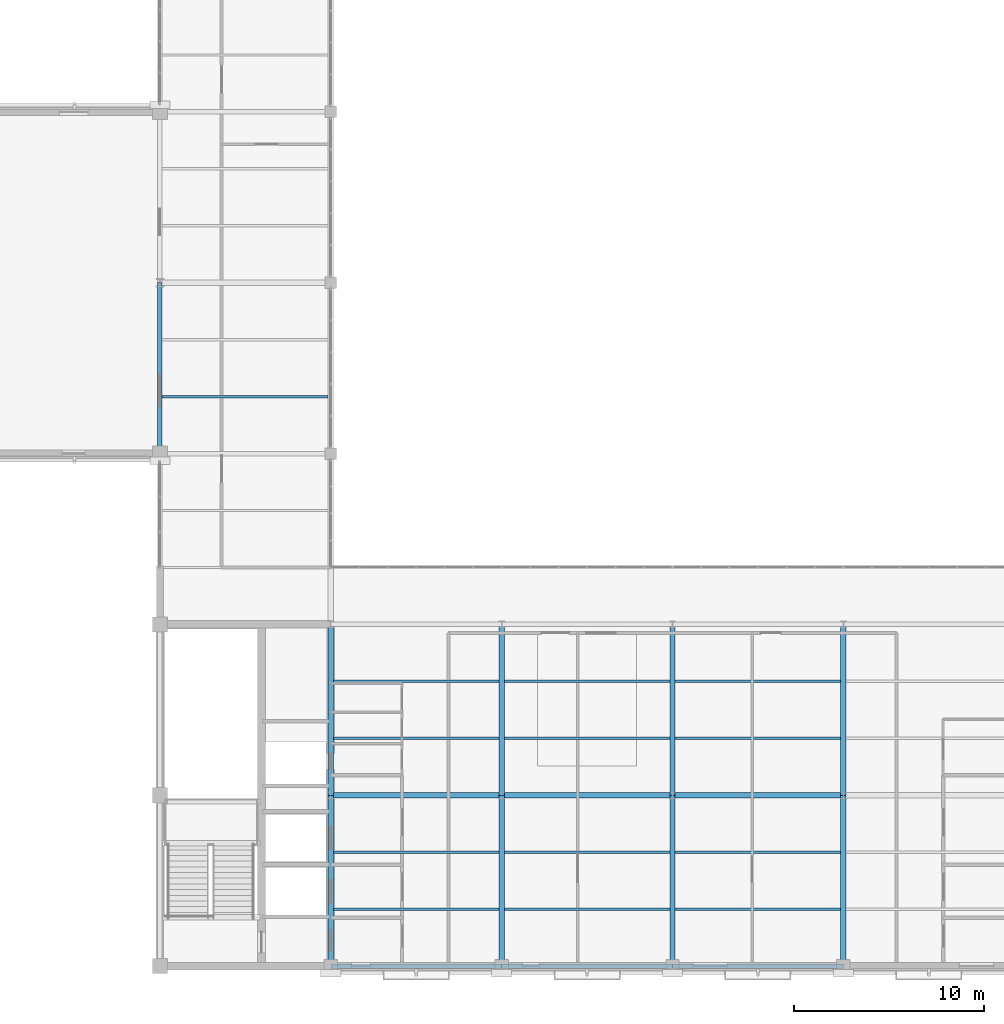
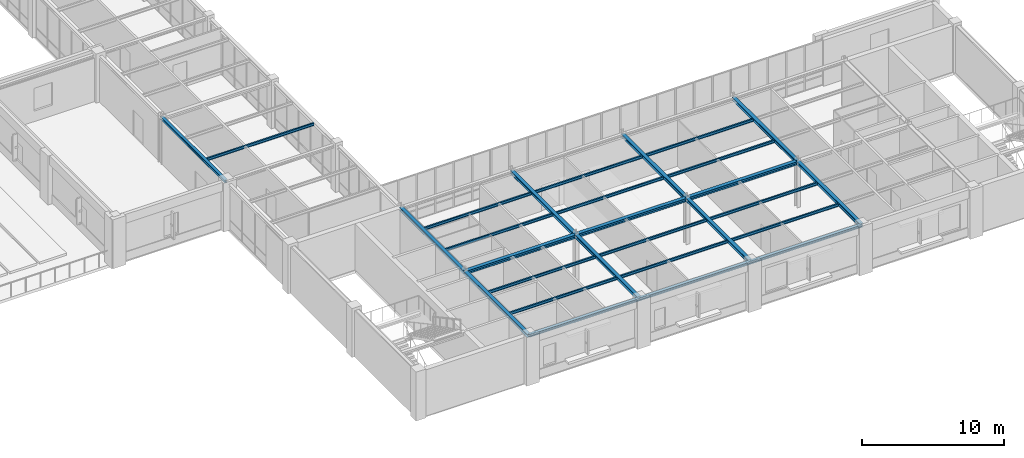
# One storey, part 17 of 97: 28 beams.
"""IFC4 building model written with IfcOpenShell, lengths in metres."""

from ifc_helpers import new_model, si_unit, direction, frame, origin, origin_2d, place, context, subcontext, project, spatial, i_section, extrude, material, material_profile, profile_set, type_object, element, save


model = new_model("IFC4")

# Units and contexts
model_context = context("Model", 3, precision=1e-05, world=origin(), true_north=direction((0.0, 1.0)))
body_context = subcontext(model_context, "Body", "Model", "MODEL_VIEW")
ifc_project = project(units=[si_unit("LENGTHUNIT", "METRE"), si_unit("AREAUNIT", "SQUARE_METRE"), si_unit("VOLUMEUNIT", "CUBIC_METRE"), si_unit("PLANEANGLEUNIT", "RADIAN"), si_unit("MASSUNIT", "GRAM", prefix="KILO")], contexts=[model_context])

# Site, building, storey
site_placement = place(None, origin())
site = spatial("IfcSite", under=ifc_project, at=site_placement, CompositionType="ELEMENT")
building_placement = place(site_placement, origin())
building = spatial("IfcBuilding", under=site, at=building_placement, Name="Lykobir Media Centre", CompositionType="ELEMENT")
storey_placement = place(building_placement, frame((0.0, 0.0, 23.39990234375)))
storey = spatial("IfcBuildingStorey", under=building, at=storey_placement, Name="L05", CompositionType="ELEMENT", Elevation=23.39990234375)

# Beams
ifc_material = material(Name="Steel S355", Category="steel")
ifc_material_profile_1 = material_profile(ifc_material, i_section(OverallWidth=0.280029296875, OverallDepth=0.27001953125, WebThickness=0.008056640625, FlangeThickness=0.012939453125, at=origin_2d()), Name="HEA 280")
ifc_profile_set_1 = profile_set([ifc_material_profile_1], Name="Steel S355")
beam_type_1 = type_object("IfcBeamType", Name="BM-HEA280", PredefinedType="BEAM", material=ifc_profile_set_1)
for number, where, z_axis, x_axis, name in (
    (1, (36.0, 0.0, 3.8251953125), (0.0, 1.0, 0.0), (-1.0, 0.0, 0.0), "Beam BM-L05-0360-0000-0360-0090-2722"),
    (2, (36.0, 9.0, 3.8251953125), (0.0, 1.0, 0.0), (-1.0, 0.0, 0.0), "Beam BM-L05-0360-0090-0360-0180-2722"),
    (3, (45.0, 0.0, 3.8251953125), (0.0, 1.0, 0.0), (-1.0, 0.0, 0.0), "Beam BM-L05-0450-0000-0450-0090-2722"),
    (4, (45.0, 9.0, 3.8251953125), (0.0, 1.0, 0.0), (-1.0, 0.0, 0.0), "Beam BM-L05-0450-0090-0450-0180-2722"),
    (5, (54.0, 0.0, 3.8251953125), (0.0, 1.0, 0.0), (-1.0, 0.0, 0.0), "Beam BM-L05-0540-0000-0540-0090-2722"),
    (6, (54.0, 9.0, 3.8251953125), (0.0, 1.0, 0.0), (-1.0, 0.0, 0.0), "Beam BM-L05-0540-0090-0540-0180-2722"),
    (7, (63.0, 0.0, 3.8251953125), (0.0, 1.0, 0.0), (-1.0, 0.0, 0.0), "Beam BM-L05-0630-0000-0630-0090-2722"),
    (8, (63.0, 9.0, 3.8251953125), (0.0, 1.0, 0.0), (-1.0, 0.0, 0.0), "Beam BM-L05-0630-0090-0630-0180-2722"),
):
    element("IfcBeam", number, at=place(storey_placement, frame(where, z_axis=z_axis, x_axis=x_axis)), inside=storey, type_object=beam_type_1, Name=name, PredefinedType="BEAM", context=body_context, shape_type="SweptSolid", body=[
        extrude(i_section(OverallWidth=0.280029296875, OverallDepth=0.27001953125, WebThickness=0.008056640625, FlangeThickness=0.012939453125, at=origin_2d()), origin(), (0.0, 0.0, 1.0), 9.0),
    ])
ifc_material_profile_2 = material_profile(ifc_material, i_section(OverallWidth=0.300048828125, OverallDepth=0.2900390625, WebThickness=0.008544921875, FlangeThickness=0.013916015625, at=origin_2d()), Name="HEA 300")
ifc_profile_set_2 = profile_set([ifc_material_profile_2], Name="Steel S355")
beam_type_2 = type_object("IfcBeamType", Name="BM-HEA300", PredefinedType="BEAM", material=ifc_profile_set_2)
for number, where, z_axis, x_axis, name in (
    (9, (36.0, 9.0, 3.815185546875), (1.0, 0.0, 0.0), (0.0, 1.0, 0.0), "Beam BM-L05-0360-0090-0450-0090-2722"),
    (10, (45.0, 9.0, 3.815185546875), (1.0, 0.0, 0.0), (0.0, 1.0, 0.0), "Beam BM-L05-0450-0090-0540-0090-2722"),
    (11, (54.0, 9.0, 3.815185546875), (1.0, 0.0, 0.0), (0.0, 1.0, 0.0), "Beam BM-L05-0540-0090-0630-0090-2722"),
):
    element("IfcBeam", number, at=place(storey_placement, frame(where, z_axis=z_axis, x_axis=x_axis)), inside=storey, type_object=beam_type_2, Name=name, PredefinedType="BEAM", context=body_context, shape_type="SweptSolid", body=[
        extrude(i_section(OverallWidth=0.300048828125, OverallDepth=0.2900390625, WebThickness=0.008544921875, FlangeThickness=0.013916015625, at=origin_2d()), origin(), (0.0, 0.0, 1.0), 9.0),
    ])
ifc_material_profile_3 = material_profile(ifc_material, i_section(OverallWidth=0.1201171875, OverallDepth=0.239990234375, WebThickness=0.006103515625, FlangeThickness=0.009765625, at=origin_2d()), Name="IPE 240")
ifc_profile_set_3 = profile_set([ifc_material_profile_3], Name="Steel S355")
beam_type_3 = type_object("IfcBeamType", Name="JS-IPE240", PredefinedType="JOIST", material=ifc_profile_set_3)
beam_1_placement = place(storey_placement, frame((27.1201171875, 30.0, 3.840087890625), z_axis=(1.0, 0.0, 0.0), x_axis=(0.0, 1.0, 0.0)))
element("IfcBeam", 12, at=beam_1_placement, inside=storey, type_object=beam_type_3, Name="Beam BM-L05-0271-0300-0359-0300-2724", PredefinedType="JOIST", context=body_context, shape_type="SweptSolid", body=[
    extrude(i_section(OverallWidth=0.1201171875, OverallDepth=0.239990234375, WebThickness=0.006103515625, FlangeThickness=0.009765625, at=origin_2d()), origin(), (0.0, 0.0, 1.0), 8.739990234375),
])
for number, where, z_axis, x_axis, name in (
    (13, (36.139892578125, 3.0, 3.840087890625), (1.0, 0.0, 0.0), (0.0, 1.0, 0.0), "Beam BM-L05-0361-0030-0449-0030-2724"),
    (14, (36.139892578125, 6.0, 3.840087890625), (1.0, 0.0, 0.0), (0.0, 1.0, 0.0), "Beam BM-L05-0361-0060-0449-0060-2724"),
    (15, (36.139892578125, 12.0, 3.840087890625), (1.0, 0.0, 0.0), (0.0, 1.0, 0.0), "Beam BM-L05-0361-0120-0449-0120-2724"),
    (16, (36.139892578125, 15.0, 3.840087890625), (1.0, 0.0, 0.0), (0.0, 1.0, 0.0), "Beam BM-L05-0361-0150-0449-0150-2724"),
    (17, (45.139892578125, 3.0, 3.840087890625), (1.0, 0.0, 0.0), (0.0, 1.0, 0.0), "Beam BM-L05-0451-0030-0539-0030-2724"),
    (18, (45.139892578125, 6.0, 3.840087890625), (1.0, 0.0, 0.0), (0.0, 1.0, 0.0), "Beam BM-L05-0451-0060-0539-0060-2724"),
    (19, (45.139892578125, 12.0, 3.840087890625), (1.0, 0.0, 0.0), (0.0, 1.0, 0.0), "Beam BM-L05-0451-0120-0539-0120-2724"),
    (20, (45.139892578125, 15.0, 3.840087890625), (1.0, 0.0, 0.0), (0.0, 1.0, 0.0), "Beam BM-L05-0451-0150-0539-0150-2724"),
    (21, (54.139892578125, 3.0, 3.840087890625), (1.0, 0.0, 0.0), (0.0, 1.0, 0.0), "Beam BM-L05-0541-0030-0629-0030-2724"),
    (22, (54.139892578125, 6.0, 3.840087890625), (1.0, 0.0, 0.0), (0.0, 1.0, 0.0), "Beam BM-L05-0541-0060-0629-0060-2724"),
    (23, (54.139892578125, 12.0, 3.840087890625), (1.0, 0.0, 0.0), (0.0, 1.0, 0.0), "Beam BM-L05-0541-0120-0629-0120-2724"),
    (24, (54.139892578125, 15.0, 3.840087890625), (1.0, 0.0, 0.0), (0.0, 1.0, 0.0), "Beam BM-L05-0541-0150-0629-0150-2724"),
):
    element("IfcBeam", number, at=place(storey_placement, frame(where, z_axis=z_axis, x_axis=x_axis)), inside=storey, type_object=beam_type_3, Name=name, PredefinedType="JOIST", context=body_context, shape_type="SweptSolid", body=[
        extrude(i_section(OverallWidth=0.1201171875, OverallDepth=0.239990234375, WebThickness=0.006103515625, FlangeThickness=0.009765625, at=origin_2d()), origin(), (0.0, 0.0, 1.0), 8.72021484375),
    ])
ifc_material_profile_4 = material_profile(ifc_material, i_section(OverallWidth=0.239990234375, OverallDepth=0.22998046875, WebThickness=0.007568359375, FlangeThickness=0.011962890625, at=origin_2d()), Name="HEA 240")
ifc_profile_set_4 = profile_set([ifc_material_profile_4], Name="Steel S355")
beam_type_4 = type_object("IfcBeamType", Name="SP-HEA240", PredefinedType="SPANDREL", material=ifc_profile_set_4)
beam_2_placement = place(storey_placement, frame((27.0, 27.0, 3.84521484375), z_axis=(0.0, 1.0, 0.0), x_axis=(-1.0, 0.0, 0.0)))
element("IfcBeam", 25, at=beam_2_placement, inside=storey, type_object=beam_type_4, Name="Beam BM-L05-0270-0270-0270-0360-2724", PredefinedType="SPANDREL", context=body_context, shape_type="SweptSolid", body=[
    extrude(i_section(OverallWidth=0.239990234375, OverallDepth=0.22998046875, WebThickness=0.007568359375, FlangeThickness=0.011962890625, at=origin_2d()), origin(), (0.0, 0.0, 1.0), 9.0),
])
ifc_material_profile_5 = material_profile(ifc_material, i_section(OverallWidth=0.239990234375, OverallDepth=0.22998046875, WebThickness=0.007568359375, FlangeThickness=0.011962890625, at=origin_2d()), Name="HEA 240")
ifc_profile_set_5 = profile_set([ifc_material_profile_5], Name="Steel S355")
beam_type_5 = type_object("IfcBeamType", Name="SP-HEA240-E", PredefinedType="SPANDREL", material=ifc_profile_set_5)
for number, where, z_axis, x_axis, name in (
    (26, (36.0, 0.0, 3.84521484375), (1.0, 0.0, 0.0), (0.0, 1.0, 0.0), "Beam BM-L05-0360-0000-0450-0000-2724"),
    (27, (45.0, 0.0, 3.84521484375), (1.0, 0.0, 0.0), (0.0, 1.0, 0.0), "Beam BM-L05-0450-0000-0540-0000-2724"),
    (28, (54.0, 0.0, 3.84521484375), (1.0, 0.0, 0.0), (0.0, 1.0, 0.0), "Beam BM-L05-0540-0000-0630-0000-2724"),
):
    element("IfcBeam", number, at=place(storey_placement, frame(where, z_axis=z_axis, x_axis=x_axis)), inside=storey, type_object=beam_type_5, Name=name, PredefinedType="SPANDREL", context=body_context, shape_type="SweptSolid", body=[
        extrude(i_section(OverallWidth=0.239990234375, OverallDepth=0.22998046875, WebThickness=0.007568359375, FlangeThickness=0.011962890625, at=origin_2d()), origin(), (0.0, 0.0, 1.0), 9.0),
    ])

save(model, "model.ifc")
